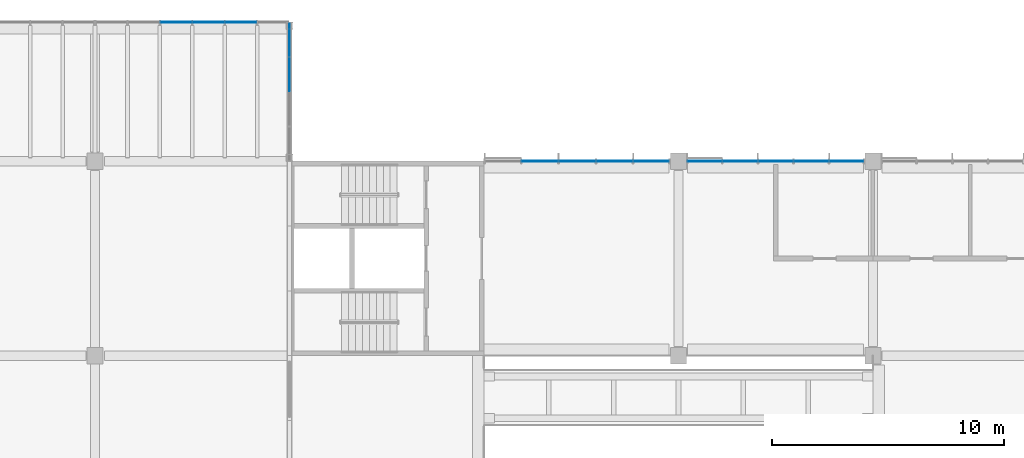
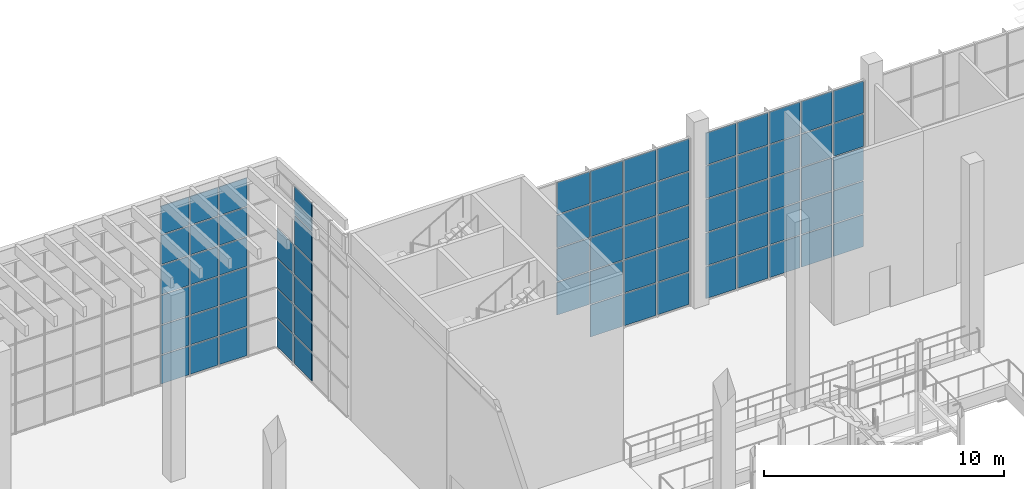
# One storey, part 37 of 114: 72 plates, 4 elements without a shape of their own.
"""IFC4 building model written with IfcOpenShell, lengths in metres."""

from ifc_helpers import new_model, si_unit, direction, frame, origin, origin_2d, place, context, subcontext, project, spatial, rectangle, extrude, material, layer, layer_set, type_object, element, aggregate, save


model = new_model("IFC4")

# Units and contexts
model_context = context("Model", 3, precision=1e-05, world=origin(), true_north=direction((0.0, 1.0)))
body_context = subcontext(model_context, "Body", "Model", "MODEL_VIEW")
ifc_project = project(units=[si_unit("LENGTHUNIT", "METRE"), si_unit("AREAUNIT", "SQUARE_METRE"), si_unit("VOLUMEUNIT", "CUBIC_METRE"), si_unit("PLANEANGLEUNIT", "RADIAN"), si_unit("MASSUNIT", "GRAM", prefix="KILO")], contexts=[model_context])

# Site, building, storey
site_placement = place(None, origin())
site = spatial("IfcSite", under=ifc_project, at=site_placement, CompositionType="ELEMENT")
building_placement = place(site_placement, origin())
building = spatial("IfcBuilding", under=site, at=building_placement, Name="Almond Square Museum", CompositionType="ELEMENT")
storey_placement = place(building_placement, frame((0.0, 0.0, 10.5)))
storey = spatial("IfcBuildingStorey", under=building, at=storey_placement, Name="L02", CompositionType="ELEMENT", Elevation=10.5)

# Curtain wall, plates
ifc_material_1 = material(Name="Aluminium and laminated glass", Category="aluminium")
curtain_wall_type = type_object("IfcCurtainWallType", Name="Unitised curtain wall 1500 module", PredefinedType="NOTDEFINED", material=ifc_material_1)
curtain_wall_1_placement = place(storey_placement, origin())
curtain_wall_1 = element("IfcCurtainWall", 1, at=curtain_wall_1_placement, inside=storey, type_object=curtain_wall_type, Name="Curtain wall CW-18", PredefinedType="NOTDEFINED")
ifc_material_2 = material(Name="Laminated hurricane-rated glass", Category="glass")
ifc_layer = layer(ifc_material_2, 0.035888671875)
ifc_layer_set = layer_set([ifc_layer], Name="Laminated hurricane-rated glass")
plate_type = type_object("IfcPlateType", Name="Laminated glass panel 36", PredefinedType="CURTAIN_PANEL", material=ifc_layer_set)
plate_1_placement = place(storey_placement, frame((91.135009765625, 109.199951171875, 0.06005859375), z_axis=(0.0, 0.0, 1.0), x_axis=(1.0, 0.0, 0.0)))
plate_1 = element("IfcPlate", 2, at=plate_1_placement, type_object=plate_type, Name="CW-18 panel 1.1", PredefinedType="CURTAIN_PANEL", context=body_context, shape_type="SweptSolid", body=[
    extrude(rectangle(XDim=1.449951171875, YDim=0.035888671875, at=origin_2d()), origin(), (0.0, 0.0, 1.0), 1.6201171875),
])
plate_2_placement = place(storey_placement, frame((91.135009765625, 109.199951171875, 1.739990234375), z_axis=(0.0, 0.0, 1.0), x_axis=(1.0, 0.0, 0.0)))
plate_2 = element("IfcPlate", 3, at=plate_2_placement, type_object=plate_type, Name="CW-18 panel 1.2", PredefinedType="CURTAIN_PANEL", context=body_context, shape_type="SweptSolid", body=[
    extrude(rectangle(XDim=1.449951171875, YDim=0.035888671875, at=origin_2d()), origin(), (0.0, 0.0, 1.0), 1.64990234375),
])
plate_3_placement = place(storey_placement, frame((91.135009765625, 109.199951171875, 3.449951171875), z_axis=(0.0, 0.0, 1.0), x_axis=(1.0, 0.0, 0.0)))
plate_3 = element("IfcPlate", 4, at=plate_3_placement, type_object=plate_type, Name="CW-18 panel 1.3", PredefinedType="CURTAIN_PANEL", context=body_context, shape_type="SweptSolid", body=[
    extrude(rectangle(XDim=1.449951171875, YDim=0.035888671875, at=origin_2d()), origin(), (0.0, 0.0, 1.0), 1.64990234375),
])
plate_4_placement = place(storey_placement, frame((91.135009765625, 109.199951171875, 5.16015625), z_axis=(0.0, 0.0, 1.0), x_axis=(1.0, 0.0, 0.0)))
plate_4 = element("IfcPlate", 5, at=plate_4_placement, type_object=plate_type, Name="CW-18 panel 1.4", PredefinedType="CURTAIN_PANEL", context=body_context, shape_type="SweptSolid", body=[
    extrude(rectangle(XDim=1.449951171875, YDim=0.035888671875, at=origin_2d()), origin(), (0.0, 0.0, 1.0), 1.64990234375),
])
plate_5_placement = place(storey_placement, frame((91.135009765625, 109.199951171875, 6.869873046875), z_axis=(0.0, 0.0, 1.0), x_axis=(1.0, 0.0, 0.0)))
plate_5 = element("IfcPlate", 6, at=plate_5_placement, type_object=plate_type, Name="CW-18 panel 1.5", PredefinedType="CURTAIN_PANEL", context=body_context, shape_type="SweptSolid", body=[
    extrude(rectangle(XDim=1.449951171875, YDim=0.035888671875, at=origin_2d()), origin(), (0.0, 0.0, 1.0), 1.6201171875),
])
plate_6_placement = place(storey_placement, frame((92.659912109375, 109.199951171875, 0.06005859375), z_axis=(0.0, 0.0, 1.0), x_axis=(1.0, 0.0, 0.0)))
plate_6 = element("IfcPlate", 7, at=plate_6_placement, type_object=plate_type, Name="CW-18 panel 2.1", PredefinedType="CURTAIN_PANEL", context=body_context, shape_type="SweptSolid", body=[
    extrude(rectangle(XDim=1.47998046875, YDim=0.035888671875, at=origin_2d()), origin(), (0.0, 0.0, 1.0), 1.6201171875),
])
plate_7_placement = place(storey_placement, frame((92.659912109375, 109.199951171875, 1.739990234375), z_axis=(0.0, 0.0, 1.0), x_axis=(1.0, 0.0, 0.0)))
plate_7 = element("IfcPlate", 8, at=plate_7_placement, type_object=plate_type, Name="CW-18 panel 2.2", PredefinedType="CURTAIN_PANEL", context=body_context, shape_type="SweptSolid", body=[
    extrude(rectangle(XDim=1.47998046875, YDim=0.035888671875, at=origin_2d()), origin(), (0.0, 0.0, 1.0), 1.64990234375),
])
plate_8_placement = place(storey_placement, frame((92.659912109375, 109.199951171875, 3.449951171875), z_axis=(0.0, 0.0, 1.0), x_axis=(1.0, 0.0, 0.0)))
plate_8 = element("IfcPlate", 9, at=plate_8_placement, type_object=plate_type, Name="CW-18 panel 2.3", PredefinedType="CURTAIN_PANEL", context=body_context, shape_type="SweptSolid", body=[
    extrude(rectangle(XDim=1.47998046875, YDim=0.035888671875, at=origin_2d()), origin(), (0.0, 0.0, 1.0), 1.64990234375),
])
plate_9_placement = place(storey_placement, frame((92.659912109375, 109.199951171875, 5.16015625), z_axis=(0.0, 0.0, 1.0), x_axis=(1.0, 0.0, 0.0)))
plate_9 = element("IfcPlate", 10, at=plate_9_placement, type_object=plate_type, Name="CW-18 panel 2.4", PredefinedType="CURTAIN_PANEL", context=body_context, shape_type="SweptSolid", body=[
    extrude(rectangle(XDim=1.47998046875, YDim=0.035888671875, at=origin_2d()), origin(), (0.0, 0.0, 1.0), 1.64990234375),
])
plate_10_placement = place(storey_placement, frame((92.659912109375, 109.199951171875, 6.869873046875), z_axis=(0.0, 0.0, 1.0), x_axis=(1.0, 0.0, 0.0)))
plate_10 = element("IfcPlate", 11, at=plate_10_placement, type_object=plate_type, Name="CW-18 panel 2.5", PredefinedType="CURTAIN_PANEL", context=body_context, shape_type="SweptSolid", body=[
    extrude(rectangle(XDim=1.47998046875, YDim=0.035888671875, at=origin_2d()), origin(), (0.0, 0.0, 1.0), 1.6201171875),
])
plate_11_placement = place(storey_placement, frame((94.199951171875, 109.199951171875, 0.06005859375), z_axis=(0.0, 0.0, 1.0), x_axis=(1.0, 0.0, 0.0)))
plate_11 = element("IfcPlate", 12, at=plate_11_placement, type_object=plate_type, Name="CW-18 panel 3.1", PredefinedType="CURTAIN_PANEL", context=body_context, shape_type="SweptSolid", body=[
    extrude(rectangle(XDim=1.47998046875, YDim=0.035888671875, at=origin_2d()), origin(), (0.0, 0.0, 1.0), 1.6201171875),
])
plate_12_placement = place(storey_placement, frame((94.199951171875, 109.199951171875, 1.739990234375), z_axis=(0.0, 0.0, 1.0), x_axis=(1.0, 0.0, 0.0)))
plate_12 = element("IfcPlate", 13, at=plate_12_placement, type_object=plate_type, Name="CW-18 panel 3.2", PredefinedType="CURTAIN_PANEL", context=body_context, shape_type="SweptSolid", body=[
    extrude(rectangle(XDim=1.47998046875, YDim=0.035888671875, at=origin_2d()), origin(), (0.0, 0.0, 1.0), 1.64990234375),
])
plate_13_placement = place(storey_placement, frame((94.199951171875, 109.199951171875, 3.449951171875), z_axis=(0.0, 0.0, 1.0), x_axis=(1.0, 0.0, 0.0)))
plate_13 = element("IfcPlate", 14, at=plate_13_placement, type_object=plate_type, Name="CW-18 panel 3.3", PredefinedType="CURTAIN_PANEL", context=body_context, shape_type="SweptSolid", body=[
    extrude(rectangle(XDim=1.47998046875, YDim=0.035888671875, at=origin_2d()), origin(), (0.0, 0.0, 1.0), 1.64990234375),
])
plate_14_placement = place(storey_placement, frame((94.199951171875, 109.199951171875, 5.16015625), z_axis=(0.0, 0.0, 1.0), x_axis=(1.0, 0.0, 0.0)))
plate_14 = element("IfcPlate", 15, at=plate_14_placement, type_object=plate_type, Name="CW-18 panel 3.4", PredefinedType="CURTAIN_PANEL", context=body_context, shape_type="SweptSolid", body=[
    extrude(rectangle(XDim=1.47998046875, YDim=0.035888671875, at=origin_2d()), origin(), (0.0, 0.0, 1.0), 1.64990234375),
])
plate_15_placement = place(storey_placement, frame((94.199951171875, 109.199951171875, 6.869873046875), z_axis=(0.0, 0.0, 1.0), x_axis=(1.0, 0.0, 0.0)))
plate_15 = element("IfcPlate", 16, at=plate_15_placement, type_object=plate_type, Name="CW-18 panel 3.5", PredefinedType="CURTAIN_PANEL", context=body_context, shape_type="SweptSolid", body=[
    extrude(rectangle(XDim=1.47998046875, YDim=0.035888671875, at=origin_2d()), origin(), (0.0, 0.0, 1.0), 1.6201171875),
])
plate_16_placement = place(storey_placement, frame((95.739990234375, 109.199951171875, 0.06005859375), z_axis=(0.0, 0.0, 1.0), x_axis=(1.0, 0.0, 0.0)))
plate_16 = element("IfcPlate", 17, at=plate_16_placement, type_object=plate_type, Name="CW-18 panel 4.1", PredefinedType="CURTAIN_PANEL", context=body_context, shape_type="SweptSolid", body=[
    extrude(rectangle(XDim=1.47998046875, YDim=0.035888671875, at=origin_2d()), origin(), (0.0, 0.0, 1.0), 1.6201171875),
])
plate_17_placement = place(storey_placement, frame((95.739990234375, 109.199951171875, 1.739990234375), z_axis=(0.0, 0.0, 1.0), x_axis=(1.0, 0.0, 0.0)))
plate_17 = element("IfcPlate", 18, at=plate_17_placement, type_object=plate_type, Name="CW-18 panel 4.2", PredefinedType="CURTAIN_PANEL", context=body_context, shape_type="SweptSolid", body=[
    extrude(rectangle(XDim=1.47998046875, YDim=0.035888671875, at=origin_2d()), origin(), (0.0, 0.0, 1.0), 1.64990234375),
])
plate_18_placement = place(storey_placement, frame((95.739990234375, 109.199951171875, 3.449951171875), z_axis=(0.0, 0.0, 1.0), x_axis=(1.0, 0.0, 0.0)))
plate_18 = element("IfcPlate", 19, at=plate_18_placement, type_object=plate_type, Name="CW-18 panel 4.3", PredefinedType="CURTAIN_PANEL", context=body_context, shape_type="SweptSolid", body=[
    extrude(rectangle(XDim=1.47998046875, YDim=0.035888671875, at=origin_2d()), origin(), (0.0, 0.0, 1.0), 1.64990234375),
])
plate_19_placement = place(storey_placement, frame((95.739990234375, 109.199951171875, 5.16015625), z_axis=(0.0, 0.0, 1.0), x_axis=(1.0, 0.0, 0.0)))
plate_19 = element("IfcPlate", 20, at=plate_19_placement, type_object=plate_type, Name="CW-18 panel 4.4", PredefinedType="CURTAIN_PANEL", context=body_context, shape_type="SweptSolid", body=[
    extrude(rectangle(XDim=1.47998046875, YDim=0.035888671875, at=origin_2d()), origin(), (0.0, 0.0, 1.0), 1.64990234375),
])
plate_20_placement = place(storey_placement, frame((95.739990234375, 109.199951171875, 6.869873046875), z_axis=(0.0, 0.0, 1.0), x_axis=(1.0, 0.0, 0.0)))
plate_20 = element("IfcPlate", 21, at=plate_20_placement, type_object=plate_type, Name="CW-18 panel 4.5", PredefinedType="CURTAIN_PANEL", context=body_context, shape_type="SweptSolid", body=[
    extrude(rectangle(XDim=1.47998046875, YDim=0.035888671875, at=origin_2d()), origin(), (0.0, 0.0, 1.0), 1.6201171875),
])
plate_21_placement = place(storey_placement, frame((97.264892578125, 109.199951171875, 0.06005859375), z_axis=(0.0, 0.0, 1.0), x_axis=(1.0, 0.0, 0.0)))
plate_21 = element("IfcPlate", 22, at=plate_21_placement, type_object=plate_type, Name="CW-18 panel 5.1", PredefinedType="CURTAIN_PANEL", context=body_context, shape_type="SweptSolid", body=[
    extrude(rectangle(XDim=1.449951171875, YDim=0.035888671875, at=origin_2d()), origin(), (0.0, 0.0, 1.0), 1.6201171875),
])
plate_22_placement = place(storey_placement, frame((97.264892578125, 109.199951171875, 1.739990234375), z_axis=(0.0, 0.0, 1.0), x_axis=(1.0, 0.0, 0.0)))
plate_22 = element("IfcPlate", 23, at=plate_22_placement, type_object=plate_type, Name="CW-18 panel 5.2", PredefinedType="CURTAIN_PANEL", context=body_context, shape_type="SweptSolid", body=[
    extrude(rectangle(XDim=1.449951171875, YDim=0.035888671875, at=origin_2d()), origin(), (0.0, 0.0, 1.0), 1.64990234375),
])
plate_23_placement = place(storey_placement, frame((97.264892578125, 109.199951171875, 3.449951171875), z_axis=(0.0, 0.0, 1.0), x_axis=(1.0, 0.0, 0.0)))
plate_23 = element("IfcPlate", 24, at=plate_23_placement, type_object=plate_type, Name="CW-18 panel 5.3", PredefinedType="CURTAIN_PANEL", context=body_context, shape_type="SweptSolid", body=[
    extrude(rectangle(XDim=1.449951171875, YDim=0.035888671875, at=origin_2d()), origin(), (0.0, 0.0, 1.0), 1.64990234375),
])
plate_24_placement = place(storey_placement, frame((97.264892578125, 109.199951171875, 5.16015625), z_axis=(0.0, 0.0, 1.0), x_axis=(1.0, 0.0, 0.0)))
plate_24 = element("IfcPlate", 25, at=plate_24_placement, type_object=plate_type, Name="CW-18 panel 5.4", PredefinedType="CURTAIN_PANEL", context=body_context, shape_type="SweptSolid", body=[
    extrude(rectangle(XDim=1.449951171875, YDim=0.035888671875, at=origin_2d()), origin(), (0.0, 0.0, 1.0), 1.64990234375),
])
plate_25_placement = place(storey_placement, frame((97.264892578125, 109.199951171875, 6.869873046875), z_axis=(0.0, 0.0, 1.0), x_axis=(1.0, 0.0, 0.0)))
plate_25 = element("IfcPlate", 26, at=plate_25_placement, type_object=plate_type, Name="CW-18 panel 5.5", PredefinedType="CURTAIN_PANEL", context=body_context, shape_type="SweptSolid", body=[
    extrude(rectangle(XDim=1.449951171875, YDim=0.035888671875, at=origin_2d()), origin(), (0.0, 0.0, 1.0), 1.6201171875),
])
aggregate(curtain_wall_1, [plate_1, plate_2, plate_3, plate_4, plate_5, plate_6, plate_7, plate_8, plate_9, plate_10, plate_11, plate_12, plate_13, plate_14, plate_15, plate_16, plate_17, plate_18, plate_19, plate_20, plate_21, plate_22, plate_23, plate_24, plate_25])

curtain_wall_2_placement = place(storey_placement, origin())
curtain_wall_2 = element("IfcCurtainWall", 27, at=curtain_wall_2_placement, inside=storey, type_object=curtain_wall_type, Name="Curtain wall CW-19", PredefinedType="NOTDEFINED")
plate_26_placement = place(storey_placement, frame((84.014892578125, 109.199951171875, 1.739990234375), z_axis=(0.0, 0.0, 1.0), x_axis=(1.0, 0.0, 0.0)))
plate_26 = element("IfcPlate", 28, at=plate_26_placement, type_object=plate_type, Name="CW-19 panel 2.2", PredefinedType="CURTAIN_PANEL", context=body_context, shape_type="SweptSolid", body=[
    extrude(rectangle(XDim=1.550048828125, YDim=0.035888671875, at=origin_2d()), origin(), (0.0, 0.0, 1.0), 1.64990234375),
])
plate_27_placement = place(storey_placement, frame((84.014892578125, 109.199951171875, 3.449951171875), z_axis=(0.0, 0.0, 1.0), x_axis=(1.0, 0.0, 0.0)))
plate_27 = element("IfcPlate", 29, at=plate_27_placement, type_object=plate_type, Name="CW-19 panel 2.3", PredefinedType="CURTAIN_PANEL", context=body_context, shape_type="SweptSolid", body=[
    extrude(rectangle(XDim=1.550048828125, YDim=0.035888671875, at=origin_2d()), origin(), (0.0, 0.0, 1.0), 1.64990234375),
])
plate_28_placement = place(storey_placement, frame((84.014892578125, 109.199951171875, 5.16015625), z_axis=(0.0, 0.0, 1.0), x_axis=(1.0, 0.0, 0.0)))
plate_28 = element("IfcPlate", 30, at=plate_28_placement, type_object=plate_type, Name="CW-19 panel 2.4", PredefinedType="CURTAIN_PANEL", context=body_context, shape_type="SweptSolid", body=[
    extrude(rectangle(XDim=1.550048828125, YDim=0.035888671875, at=origin_2d()), origin(), (0.0, 0.0, 1.0), 1.64990234375),
])
plate_29_placement = place(storey_placement, frame((84.014892578125, 109.199951171875, 6.869873046875), z_axis=(0.0, 0.0, 1.0), x_axis=(1.0, 0.0, 0.0)))
plate_29 = element("IfcPlate", 31, at=plate_29_placement, type_object=plate_type, Name="CW-19 panel 2.5", PredefinedType="CURTAIN_PANEL", context=body_context, shape_type="SweptSolid", body=[
    extrude(rectangle(XDim=1.550048828125, YDim=0.035888671875, at=origin_2d()), origin(), (0.0, 0.0, 1.0), 1.6201171875),
])
plate_30_placement = place(storey_placement, frame((85.625, 109.199951171875, 0.06005859375), z_axis=(0.0, 0.0, 1.0), x_axis=(1.0, 0.0, 0.0)))
plate_30 = element("IfcPlate", 32, at=plate_30_placement, type_object=plate_type, Name="CW-19 panel 3.1", PredefinedType="CURTAIN_PANEL", context=body_context, shape_type="SweptSolid", body=[
    extrude(rectangle(XDim=1.550048828125, YDim=0.035888671875, at=origin_2d()), origin(), (0.0, 0.0, 1.0), 1.6201171875),
])
plate_31_placement = place(storey_placement, frame((85.625, 109.199951171875, 1.739990234375), z_axis=(0.0, 0.0, 1.0), x_axis=(1.0, 0.0, 0.0)))
plate_31 = element("IfcPlate", 33, at=plate_31_placement, type_object=plate_type, Name="CW-19 panel 3.2", PredefinedType="CURTAIN_PANEL", context=body_context, shape_type="SweptSolid", body=[
    extrude(rectangle(XDim=1.550048828125, YDim=0.035888671875, at=origin_2d()), origin(), (0.0, 0.0, 1.0), 1.64990234375),
])
plate_32_placement = place(storey_placement, frame((85.625, 109.199951171875, 3.449951171875), z_axis=(0.0, 0.0, 1.0), x_axis=(1.0, 0.0, 0.0)))
plate_32 = element("IfcPlate", 34, at=plate_32_placement, type_object=plate_type, Name="CW-19 panel 3.3", PredefinedType="CURTAIN_PANEL", context=body_context, shape_type="SweptSolid", body=[
    extrude(rectangle(XDim=1.550048828125, YDim=0.035888671875, at=origin_2d()), origin(), (0.0, 0.0, 1.0), 1.64990234375),
])
plate_33_placement = place(storey_placement, frame((85.625, 109.199951171875, 5.16015625), z_axis=(0.0, 0.0, 1.0), x_axis=(1.0, 0.0, 0.0)))
plate_33 = element("IfcPlate", 35, at=plate_33_placement, type_object=plate_type, Name="CW-19 panel 3.4", PredefinedType="CURTAIN_PANEL", context=body_context, shape_type="SweptSolid", body=[
    extrude(rectangle(XDim=1.550048828125, YDim=0.035888671875, at=origin_2d()), origin(), (0.0, 0.0, 1.0), 1.64990234375),
])
plate_34_placement = place(storey_placement, frame((85.625, 109.199951171875, 6.869873046875), z_axis=(0.0, 0.0, 1.0), x_axis=(1.0, 0.0, 0.0)))
plate_34 = element("IfcPlate", 36, at=plate_34_placement, type_object=plate_type, Name="CW-19 panel 3.5", PredefinedType="CURTAIN_PANEL", context=body_context, shape_type="SweptSolid", body=[
    extrude(rectangle(XDim=1.550048828125, YDim=0.035888671875, at=origin_2d()), origin(), (0.0, 0.0, 1.0), 1.6201171875),
])
plate_35_placement = place(storey_placement, frame((87.235107421875, 109.199951171875, 0.06005859375), z_axis=(0.0, 0.0, 1.0), x_axis=(1.0, 0.0, 0.0)))
plate_35 = element("IfcPlate", 37, at=plate_35_placement, type_object=plate_type, Name="CW-19 panel 4.1", PredefinedType="CURTAIN_PANEL", context=body_context, shape_type="SweptSolid", body=[
    extrude(rectangle(XDim=1.550048828125, YDim=0.035888671875, at=origin_2d()), origin(), (0.0, 0.0, 1.0), 1.6201171875),
])
plate_36_placement = place(storey_placement, frame((87.235107421875, 109.199951171875, 1.739990234375), z_axis=(0.0, 0.0, 1.0), x_axis=(1.0, 0.0, 0.0)))
plate_36 = element("IfcPlate", 38, at=plate_36_placement, type_object=plate_type, Name="CW-19 panel 4.2", PredefinedType="CURTAIN_PANEL", context=body_context, shape_type="SweptSolid", body=[
    extrude(rectangle(XDim=1.550048828125, YDim=0.035888671875, at=origin_2d()), origin(), (0.0, 0.0, 1.0), 1.64990234375),
])
plate_37_placement = place(storey_placement, frame((87.235107421875, 109.199951171875, 3.449951171875), z_axis=(0.0, 0.0, 1.0), x_axis=(1.0, 0.0, 0.0)))
plate_37 = element("IfcPlate", 39, at=plate_37_placement, type_object=plate_type, Name="CW-19 panel 4.3", PredefinedType="CURTAIN_PANEL", context=body_context, shape_type="SweptSolid", body=[
    extrude(rectangle(XDim=1.550048828125, YDim=0.035888671875, at=origin_2d()), origin(), (0.0, 0.0, 1.0), 1.64990234375),
])
plate_38_placement = place(storey_placement, frame((87.235107421875, 109.199951171875, 5.16015625), z_axis=(0.0, 0.0, 1.0), x_axis=(1.0, 0.0, 0.0)))
plate_38 = element("IfcPlate", 40, at=plate_38_placement, type_object=plate_type, Name="CW-19 panel 4.4", PredefinedType="CURTAIN_PANEL", context=body_context, shape_type="SweptSolid", body=[
    extrude(rectangle(XDim=1.550048828125, YDim=0.035888671875, at=origin_2d()), origin(), (0.0, 0.0, 1.0), 1.64990234375),
])
plate_39_placement = place(storey_placement, frame((87.235107421875, 109.199951171875, 6.869873046875), z_axis=(0.0, 0.0, 1.0), x_axis=(1.0, 0.0, 0.0)))
plate_39 = element("IfcPlate", 41, at=plate_39_placement, type_object=plate_type, Name="CW-19 panel 4.5", PredefinedType="CURTAIN_PANEL", context=body_context, shape_type="SweptSolid", body=[
    extrude(rectangle(XDim=1.550048828125, YDim=0.035888671875, at=origin_2d()), origin(), (0.0, 0.0, 1.0), 1.6201171875),
])
plate_40_placement = place(storey_placement, frame((88.830078125, 109.199951171875, 0.06005859375), z_axis=(0.0, 0.0, 1.0), x_axis=(1.0, 0.0, 0.0)))
plate_40 = element("IfcPlate", 42, at=plate_40_placement, type_object=plate_type, Name="CW-19 panel 5.1", PredefinedType="CURTAIN_PANEL", context=body_context, shape_type="SweptSolid", body=[
    extrude(rectangle(XDim=1.52001953125, YDim=0.035888671875, at=origin_2d()), origin(), (0.0, 0.0, 1.0), 1.6201171875),
])
plate_41_placement = place(storey_placement, frame((88.830078125, 109.199951171875, 1.739990234375), z_axis=(0.0, 0.0, 1.0), x_axis=(1.0, 0.0, 0.0)))
plate_41 = element("IfcPlate", 43, at=plate_41_placement, type_object=plate_type, Name="CW-19 panel 5.2", PredefinedType="CURTAIN_PANEL", context=body_context, shape_type="SweptSolid", body=[
    extrude(rectangle(XDim=1.52001953125, YDim=0.035888671875, at=origin_2d()), origin(), (0.0, 0.0, 1.0), 1.64990234375),
])
plate_42_placement = place(storey_placement, frame((88.830078125, 109.199951171875, 3.449951171875), z_axis=(0.0, 0.0, 1.0), x_axis=(1.0, 0.0, 0.0)))
plate_42 = element("IfcPlate", 44, at=plate_42_placement, type_object=plate_type, Name="CW-19 panel 5.3", PredefinedType="CURTAIN_PANEL", context=body_context, shape_type="SweptSolid", body=[
    extrude(rectangle(XDim=1.52001953125, YDim=0.035888671875, at=origin_2d()), origin(), (0.0, 0.0, 1.0), 1.64990234375),
])
plate_43_placement = place(storey_placement, frame((88.830078125, 109.199951171875, 5.16015625), z_axis=(0.0, 0.0, 1.0), x_axis=(1.0, 0.0, 0.0)))
plate_43 = element("IfcPlate", 45, at=plate_43_placement, type_object=plate_type, Name="CW-19 panel 5.4", PredefinedType="CURTAIN_PANEL", context=body_context, shape_type="SweptSolid", body=[
    extrude(rectangle(XDim=1.52001953125, YDim=0.035888671875, at=origin_2d()), origin(), (0.0, 0.0, 1.0), 1.64990234375),
])
plate_44_placement = place(storey_placement, frame((88.830078125, 109.199951171875, 6.869873046875), z_axis=(0.0, 0.0, 1.0), x_axis=(1.0, 0.0, 0.0)))
plate_44 = element("IfcPlate", 46, at=plate_44_placement, type_object=plate_type, Name="CW-19 panel 5.5", PredefinedType="CURTAIN_PANEL", context=body_context, shape_type="SweptSolid", body=[
    extrude(rectangle(XDim=1.52001953125, YDim=0.035888671875, at=origin_2d()), origin(), (0.0, 0.0, 1.0), 1.6201171875),
])
aggregate(curtain_wall_2, [plate_26, plate_27, plate_28, plate_29, plate_30, plate_31, plate_32, plate_33, plate_34, plate_35, plate_36, plate_37, plate_38, plate_39, plate_40, plate_41, plate_42, plate_43, plate_44])

curtain_wall_3_placement = place(storey_placement, origin())
curtain_wall_3 = element("IfcCurtainWall", 47, at=curtain_wall_3_placement, inside=storey, type_object=curtain_wall_type, Name="Curtain wall CW-20", PredefinedType="NOTDEFINED")
plate_45_placement = place(storey_placement, frame((73.199951171875, 112.949951171875, 0.06005859375), z_axis=(0.0, 0.0, 1.0), x_axis=(0.0, 1.0, 0.0)))
plate_45 = element("IfcPlate", 48, at=plate_45_placement, type_object=plate_type, Name="CW-20 panel 3.1", PredefinedType="CURTAIN_PANEL", context=body_context, shape_type="SweptSolid", body=[
    extrude(rectangle(XDim=1.43994140625, YDim=0.035888671875, at=origin_2d()), origin(), (0.0, 0.0, 1.0), 1.437744140625),
])
plate_46_placement = place(storey_placement, frame((73.199951171875, 112.949951171875, 1.5576171875), z_axis=(0.0, 0.0, 1.0), x_axis=(0.0, 1.0, 0.0)))
plate_46 = element("IfcPlate", 49, at=plate_46_placement, type_object=plate_type, Name="CW-20 panel 3.2", PredefinedType="CURTAIN_PANEL", context=body_context, shape_type="SweptSolid", body=[
    extrude(rectangle(XDim=1.43994140625, YDim=0.035888671875, at=origin_2d()), origin(), (0.0, 0.0, 1.0), 1.4677734375),
])
plate_47_placement = place(storey_placement, frame((73.199951171875, 112.949951171875, 3.08544921875), z_axis=(0.0, 0.0, 1.0), x_axis=(0.0, 1.0, 0.0)))
plate_47 = element("IfcPlate", 50, at=plate_47_placement, type_object=plate_type, Name="CW-20 panel 3.3", PredefinedType="CURTAIN_PANEL", context=body_context, shape_type="SweptSolid", body=[
    extrude(rectangle(XDim=1.43994140625, YDim=0.035888671875, at=origin_2d()), origin(), (0.0, 0.0, 1.0), 1.4677734375),
])
plate_48_placement = place(storey_placement, frame((73.199951171875, 112.949951171875, 4.613037109375), z_axis=(0.0, 0.0, 1.0), x_axis=(0.0, 1.0, 0.0)))
plate_48 = element("IfcPlate", 51, at=plate_48_placement, type_object=plate_type, Name="CW-20 panel 3.4", PredefinedType="CURTAIN_PANEL", context=body_context, shape_type="SweptSolid", body=[
    extrude(rectangle(XDim=1.43994140625, YDim=0.035888671875, at=origin_2d()), origin(), (0.0, 0.0, 1.0), 1.4677734375),
])
plate_49_placement = place(storey_placement, frame((73.199951171875, 112.949951171875, 6.140869140625), z_axis=(0.0, 0.0, 1.0), x_axis=(0.0, 1.0, 0.0)))
plate_49 = element("IfcPlate", 52, at=plate_49_placement, type_object=plate_type, Name="CW-20 panel 3.5", PredefinedType="CURTAIN_PANEL", context=body_context, shape_type="SweptSolid", body=[
    extrude(rectangle(XDim=1.43994140625, YDim=0.035888671875, at=origin_2d()), origin(), (0.0, 0.0, 1.0), 1.4677734375),
])
plate_50_placement = place(storey_placement, frame((73.199951171875, 112.949951171875, 7.66845703125), z_axis=(0.0, 0.0, 1.0), x_axis=(0.0, 1.0, 0.0)))
plate_50 = element("IfcPlate", 53, at=plate_50_placement, type_object=plate_type, Name="CW-20 panel 3.6", PredefinedType="CURTAIN_PANEL", context=body_context, shape_type="SweptSolid", body=[
    extrude(rectangle(XDim=1.43994140625, YDim=0.035888671875, at=origin_2d()), origin(), (0.0, 0.0, 1.0), 1.437744140625),
])
plate_51_placement = place(storey_placement, frame((73.199951171875, 114.43505859375, 0.06005859375), z_axis=(0.0, 0.0, 1.0), x_axis=(0.0, 1.0, 0.0)))
plate_51 = element("IfcPlate", 54, at=plate_51_placement, type_object=plate_type, Name="CW-20 panel 4.1", PredefinedType="CURTAIN_PANEL", context=body_context, shape_type="SweptSolid", body=[
    extrude(rectangle(XDim=1.409912109375, YDim=0.035888671875, at=origin_2d()), origin(), (0.0, 0.0, 1.0), 1.437744140625),
])
plate_52_placement = place(storey_placement, frame((73.199951171875, 114.43505859375, 1.5576171875), z_axis=(0.0, 0.0, 1.0), x_axis=(0.0, 1.0, 0.0)))
plate_52 = element("IfcPlate", 55, at=plate_52_placement, type_object=plate_type, Name="CW-20 panel 4.2", PredefinedType="CURTAIN_PANEL", context=body_context, shape_type="SweptSolid", body=[
    extrude(rectangle(XDim=1.409912109375, YDim=0.035888671875, at=origin_2d()), origin(), (0.0, 0.0, 1.0), 1.4677734375),
])
plate_53_placement = place(storey_placement, frame((73.199951171875, 114.43505859375, 3.08544921875), z_axis=(0.0, 0.0, 1.0), x_axis=(0.0, 1.0, 0.0)))
plate_53 = element("IfcPlate", 56, at=plate_53_placement, type_object=plate_type, Name="CW-20 panel 4.3", PredefinedType="CURTAIN_PANEL", context=body_context, shape_type="SweptSolid", body=[
    extrude(rectangle(XDim=1.409912109375, YDim=0.035888671875, at=origin_2d()), origin(), (0.0, 0.0, 1.0), 1.4677734375),
])
plate_54_placement = place(storey_placement, frame((73.199951171875, 114.43505859375, 4.613037109375), z_axis=(0.0, 0.0, 1.0), x_axis=(0.0, 1.0, 0.0)))
plate_54 = element("IfcPlate", 57, at=plate_54_placement, type_object=plate_type, Name="CW-20 panel 4.4", PredefinedType="CURTAIN_PANEL", context=body_context, shape_type="SweptSolid", body=[
    extrude(rectangle(XDim=1.409912109375, YDim=0.035888671875, at=origin_2d()), origin(), (0.0, 0.0, 1.0), 1.4677734375),
])
aggregate(curtain_wall_3, [plate_45, plate_46, plate_47, plate_48, plate_49, plate_50, plate_51, plate_52, plate_53, plate_54])

curtain_wall_4_placement = place(storey_placement, origin())
curtain_wall_4 = element("IfcCurtainWall", 58, at=curtain_wall_4_placement, inside=storey, type_object=curtain_wall_type, Name="Curtain wall CW-21", PredefinedType="NOTDEFINED")
plate_55_placement = place(storey_placement, frame((68.300048828125, 115.199951171875, 0.06005859375), z_axis=(0.0, 0.0, 1.0), x_axis=(1.0, 0.0, 0.0)))
plate_55 = element("IfcPlate", 59, at=plate_55_placement, type_object=plate_type, Name="CW-21 panel 3.1", PredefinedType="CURTAIN_PANEL", context=body_context, shape_type="SweptSolid", body=[
    extrude(rectangle(XDim=1.340087890625, YDim=0.035888671875, at=origin_2d()), origin(), (0.0, 0.0, 1.0), 1.437744140625),
])
plate_56_placement = place(storey_placement, frame((68.300048828125, 115.199951171875, 1.5576171875), z_axis=(0.0, 0.0, 1.0), x_axis=(1.0, 0.0, 0.0)))
plate_56 = element("IfcPlate", 60, at=plate_56_placement, type_object=plate_type, Name="CW-21 panel 3.2", PredefinedType="CURTAIN_PANEL", context=body_context, shape_type="SweptSolid", body=[
    extrude(rectangle(XDim=1.340087890625, YDim=0.035888671875, at=origin_2d()), origin(), (0.0, 0.0, 1.0), 1.4677734375),
])
plate_57_placement = place(storey_placement, frame((68.300048828125, 115.199951171875, 3.08544921875), z_axis=(0.0, 0.0, 1.0), x_axis=(1.0, 0.0, 0.0)))
plate_57 = element("IfcPlate", 61, at=plate_57_placement, type_object=plate_type, Name="CW-21 panel 3.3", PredefinedType="CURTAIN_PANEL", context=body_context, shape_type="SweptSolid", body=[
    extrude(rectangle(XDim=1.340087890625, YDim=0.035888671875, at=origin_2d()), origin(), (0.0, 0.0, 1.0), 1.4677734375),
])
plate_58_placement = place(storey_placement, frame((68.300048828125, 115.199951171875, 4.613037109375), z_axis=(0.0, 0.0, 1.0), x_axis=(1.0, 0.0, 0.0)))
plate_58 = element("IfcPlate", 62, at=plate_58_placement, type_object=plate_type, Name="CW-21 panel 3.4", PredefinedType="CURTAIN_PANEL", context=body_context, shape_type="SweptSolid", body=[
    extrude(rectangle(XDim=1.340087890625, YDim=0.035888671875, at=origin_2d()), origin(), (0.0, 0.0, 1.0), 1.4677734375),
])
plate_59_placement = place(storey_placement, frame((68.300048828125, 115.199951171875, 6.140869140625), z_axis=(0.0, 0.0, 1.0), x_axis=(1.0, 0.0, 0.0)))
plate_59 = element("IfcPlate", 63, at=plate_59_placement, type_object=plate_type, Name="CW-21 panel 3.5", PredefinedType="CURTAIN_PANEL", context=body_context, shape_type="SweptSolid", body=[
    extrude(rectangle(XDim=1.340087890625, YDim=0.035888671875, at=origin_2d()), origin(), (0.0, 0.0, 1.0), 1.4677734375),
])
plate_60_placement = place(storey_placement, frame((68.300048828125, 115.199951171875, 7.66845703125), z_axis=(0.0, 0.0, 1.0), x_axis=(1.0, 0.0, 0.0)))
plate_60 = element("IfcPlate", 64, at=plate_60_placement, type_object=plate_type, Name="CW-21 panel 3.6", PredefinedType="CURTAIN_PANEL", context=body_context, shape_type="SweptSolid", body=[
    extrude(rectangle(XDim=1.340087890625, YDim=0.035888671875, at=origin_2d()), origin(), (0.0, 0.0, 1.0), 1.437744140625),
])
plate_61_placement = place(storey_placement, frame((69.699951171875, 115.199951171875, 0.06005859375), z_axis=(0.0, 0.0, 1.0), x_axis=(1.0, 0.0, 0.0)))
plate_61 = element("IfcPlate", 65, at=plate_61_placement, type_object=plate_type, Name="CW-21 panel 4.1", PredefinedType="CURTAIN_PANEL", context=body_context, shape_type="SweptSolid", body=[
    extrude(rectangle(XDim=1.340087890625, YDim=0.035888671875, at=origin_2d()), origin(), (0.0, 0.0, 1.0), 1.437744140625),
])
plate_62_placement = place(storey_placement, frame((69.699951171875, 115.199951171875, 1.5576171875), z_axis=(0.0, 0.0, 1.0), x_axis=(1.0, 0.0, 0.0)))
plate_62 = element("IfcPlate", 66, at=plate_62_placement, type_object=plate_type, Name="CW-21 panel 4.2", PredefinedType="CURTAIN_PANEL", context=body_context, shape_type="SweptSolid", body=[
    extrude(rectangle(XDim=1.340087890625, YDim=0.035888671875, at=origin_2d()), origin(), (0.0, 0.0, 1.0), 1.4677734375),
])
plate_63_placement = place(storey_placement, frame((69.699951171875, 115.199951171875, 3.08544921875), z_axis=(0.0, 0.0, 1.0), x_axis=(1.0, 0.0, 0.0)))
plate_63 = element("IfcPlate", 67, at=plate_63_placement, type_object=plate_type, Name="CW-21 panel 4.3", PredefinedType="CURTAIN_PANEL", context=body_context, shape_type="SweptSolid", body=[
    extrude(rectangle(XDim=1.340087890625, YDim=0.035888671875, at=origin_2d()), origin(), (0.0, 0.0, 1.0), 1.4677734375),
])
plate_64_placement = place(storey_placement, frame((69.699951171875, 115.199951171875, 4.613037109375), z_axis=(0.0, 0.0, 1.0), x_axis=(1.0, 0.0, 0.0)))
plate_64 = element("IfcPlate", 68, at=plate_64_placement, type_object=plate_type, Name="CW-21 panel 4.4", PredefinedType="CURTAIN_PANEL", context=body_context, shape_type="SweptSolid", body=[
    extrude(rectangle(XDim=1.340087890625, YDim=0.035888671875, at=origin_2d()), origin(), (0.0, 0.0, 1.0), 1.4677734375),
])
plate_65_placement = place(storey_placement, frame((69.699951171875, 115.199951171875, 6.140869140625), z_axis=(0.0, 0.0, 1.0), x_axis=(1.0, 0.0, 0.0)))
plate_65 = element("IfcPlate", 69, at=plate_65_placement, type_object=plate_type, Name="CW-21 panel 4.5", PredefinedType="CURTAIN_PANEL", context=body_context, shape_type="SweptSolid", body=[
    extrude(rectangle(XDim=1.340087890625, YDim=0.035888671875, at=origin_2d()), origin(), (0.0, 0.0, 1.0), 1.4677734375),
])
plate_66_placement = place(storey_placement, frame((69.699951171875, 115.199951171875, 7.66845703125), z_axis=(0.0, 0.0, 1.0), x_axis=(1.0, 0.0, 0.0)))
plate_66 = element("IfcPlate", 70, at=plate_66_placement, type_object=plate_type, Name="CW-21 panel 4.6", PredefinedType="CURTAIN_PANEL", context=body_context, shape_type="SweptSolid", body=[
    extrude(rectangle(XDim=1.340087890625, YDim=0.035888671875, at=origin_2d()), origin(), (0.0, 0.0, 1.0), 1.437744140625),
])
plate_67_placement = place(storey_placement, frame((71.10009765625, 115.199951171875, 0.06005859375), z_axis=(0.0, 0.0, 1.0), x_axis=(1.0, 0.0, 0.0)))
plate_67 = element("IfcPlate", 71, at=plate_67_placement, type_object=plate_type, Name="CW-21 panel 5.1", PredefinedType="CURTAIN_PANEL", context=body_context, shape_type="SweptSolid", body=[
    extrude(rectangle(XDim=1.340087890625, YDim=0.035888671875, at=origin_2d()), origin(), (0.0, 0.0, 1.0), 1.437744140625),
])
plate_68_placement = place(storey_placement, frame((71.10009765625, 115.199951171875, 1.5576171875), z_axis=(0.0, 0.0, 1.0), x_axis=(1.0, 0.0, 0.0)))
plate_68 = element("IfcPlate", 72, at=plate_68_placement, type_object=plate_type, Name="CW-21 panel 5.2", PredefinedType="CURTAIN_PANEL", context=body_context, shape_type="SweptSolid", body=[
    extrude(rectangle(XDim=1.340087890625, YDim=0.035888671875, at=origin_2d()), origin(), (0.0, 0.0, 1.0), 1.4677734375),
])
plate_69_placement = place(storey_placement, frame((71.10009765625, 115.199951171875, 3.08544921875), z_axis=(0.0, 0.0, 1.0), x_axis=(1.0, 0.0, 0.0)))
plate_69 = element("IfcPlate", 73, at=plate_69_placement, type_object=plate_type, Name="CW-21 panel 5.3", PredefinedType="CURTAIN_PANEL", context=body_context, shape_type="SweptSolid", body=[
    extrude(rectangle(XDim=1.340087890625, YDim=0.035888671875, at=origin_2d()), origin(), (0.0, 0.0, 1.0), 1.4677734375),
])
plate_70_placement = place(storey_placement, frame((71.10009765625, 115.199951171875, 4.613037109375), z_axis=(0.0, 0.0, 1.0), x_axis=(1.0, 0.0, 0.0)))
plate_70 = element("IfcPlate", 74, at=plate_70_placement, type_object=plate_type, Name="CW-21 panel 5.4", PredefinedType="CURTAIN_PANEL", context=body_context, shape_type="SweptSolid", body=[
    extrude(rectangle(XDim=1.340087890625, YDim=0.035888671875, at=origin_2d()), origin(), (0.0, 0.0, 1.0), 1.4677734375),
])
plate_71_placement = place(storey_placement, frame((71.10009765625, 115.199951171875, 6.140869140625), z_axis=(0.0, 0.0, 1.0), x_axis=(1.0, 0.0, 0.0)))
plate_71 = element("IfcPlate", 75, at=plate_71_placement, type_object=plate_type, Name="CW-21 panel 5.5", PredefinedType="CURTAIN_PANEL", context=body_context, shape_type="SweptSolid", body=[
    extrude(rectangle(XDim=1.340087890625, YDim=0.035888671875, at=origin_2d()), origin(), (0.0, 0.0, 1.0), 1.4677734375),
])
plate_72_placement = place(storey_placement, frame((71.10009765625, 115.199951171875, 7.66845703125), z_axis=(0.0, 0.0, 1.0), x_axis=(1.0, 0.0, 0.0)))
plate_72 = element("IfcPlate", 76, at=plate_72_placement, type_object=plate_type, Name="CW-21 panel 5.6", PredefinedType="CURTAIN_PANEL", context=body_context, shape_type="SweptSolid", body=[
    extrude(rectangle(XDim=1.340087890625, YDim=0.035888671875, at=origin_2d()), origin(), (0.0, 0.0, 1.0), 1.437744140625),
])
aggregate(curtain_wall_4, [plate_55, plate_56, plate_57, plate_58, plate_59, plate_60, plate_61, plate_62, plate_63, plate_64, plate_65, plate_66, plate_67, plate_68, plate_69, plate_70, plate_71, plate_72])

save(model, "model.ifc")
